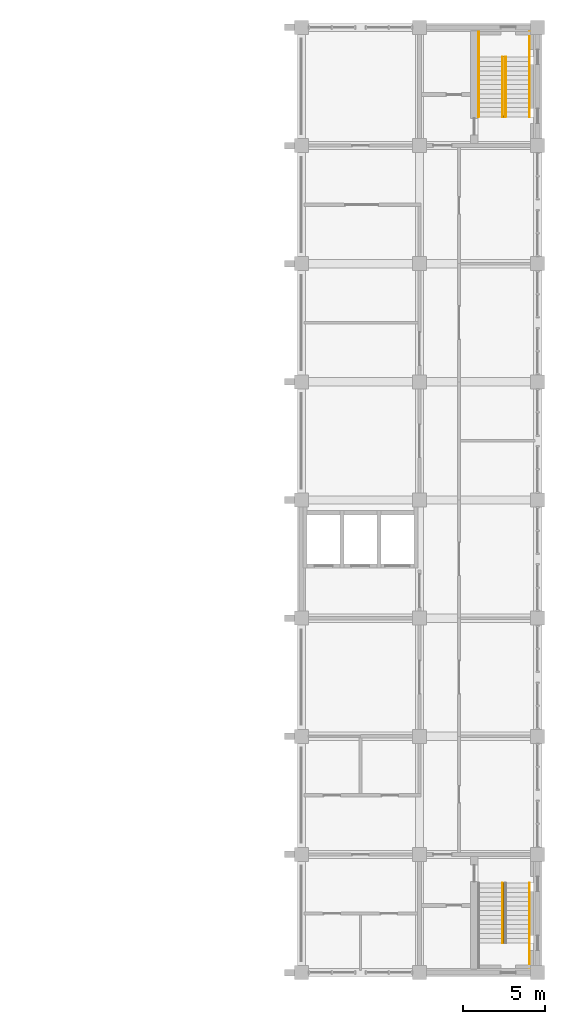
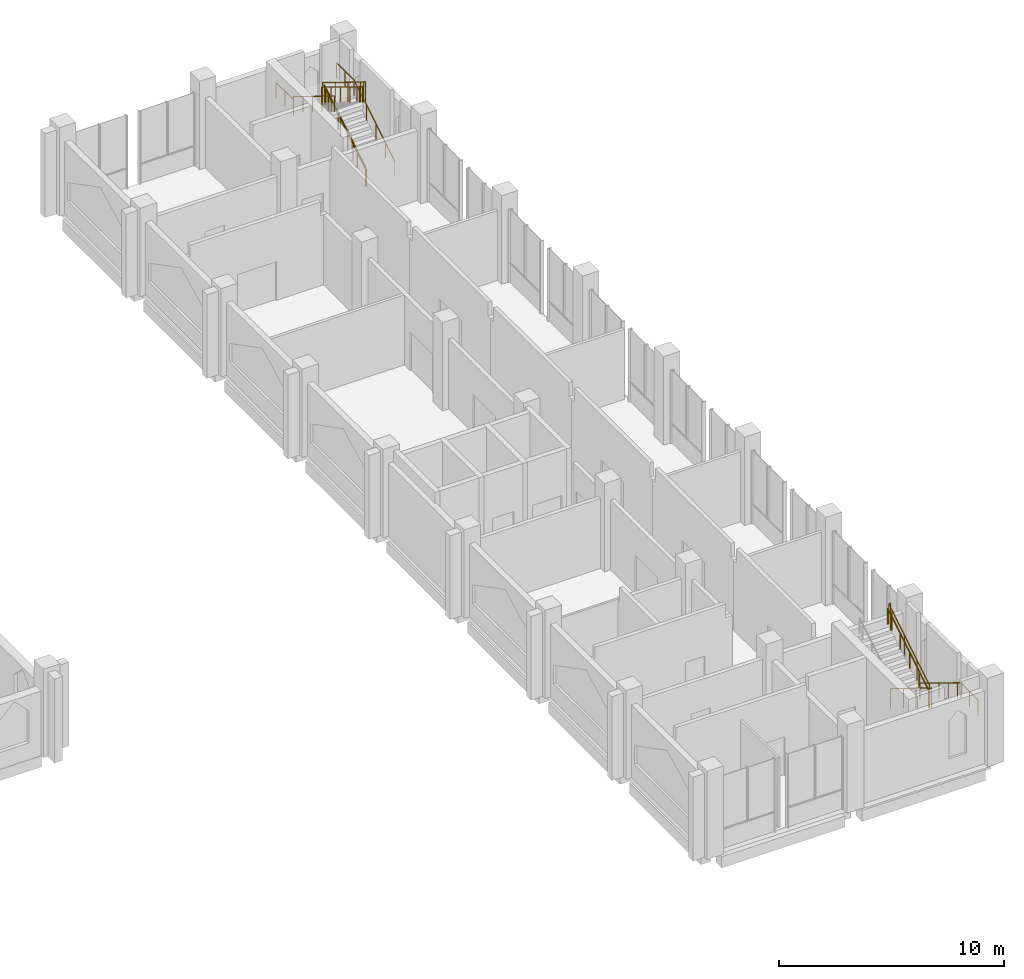
# One storey, part 40 of 40: 8 railings.
"""IFC4 building model written with IfcOpenShell, lengths in metres."""

from ifc_helpers import new_model, si_unit, direction, frame, origin, origin_2d, place, context, subcontext, project, spatial, circle, extrude, material, type_object, element, save


model = new_model("IFC4")

# Units and contexts
model_context = context("Model", 3, precision=1e-05, world=origin(), true_north=direction((0.0, 1.0)))
body_context = subcontext(model_context, "Body", "Model", "MODEL_VIEW")
ifc_project = project(units=[si_unit("LENGTHUNIT", "METRE"), si_unit("AREAUNIT", "SQUARE_METRE"), si_unit("VOLUMEUNIT", "CUBIC_METRE"), si_unit("PLANEANGLEUNIT", "RADIAN"), si_unit("MASSUNIT", "GRAM", prefix="KILO")], contexts=[model_context])

# Site, building, storey
site_placement = place(None, origin())
site = spatial("IfcSite", under=ifc_project, at=site_placement, CompositionType="ELEMENT")
building_placement = place(site_placement, origin())
building = spatial("IfcBuilding", under=site, at=building_placement, Name="Silangan Lancet Faculty of Sciences", CompositionType="ELEMENT")
storey_placement = place(building_placement, frame((0.0, 0.0, 16.800048828125)))
storey = spatial("IfcBuildingStorey", under=building, at=storey_placement, Name="L03", CompositionType="ELEMENT", Elevation=16.800048828125)

# Railings
ifc_material_1 = material(Name="Steel balustrade", Category="steel")
railing_type_1 = type_object("IfcRailingType", Name="STAIR GUARD 1100", PredefinedType="GUARDRAIL", material=ifc_material_1)
railing_1_placement = place(storey_placement, frame((84.39990234375, 5.449951171875, 0.17138671875)))
element("IfcRailing", 1, at=railing_1_placement, inside=storey, type_object=railing_type_1, Name="GUARD-EB-A-L03", PredefinedType="GUARDRAIL", context=body_context, shape_type="SweptSolid", body=[
    extrude(circle(Radius=0.02392578125, at=origin_2d()), frame((0.0, 0.0, 1.076171875), z_axis=(0.0, -0.852881719064, 0.522104178577), x_axis=(1.0, 0.0, 0.0)), (0.0, 0.0, 1.0), 1.31298828125),
    extrude(circle(Radius=0.02392578125, at=origin_2d()), frame((0.0, -1.119873046875, 1.76171875), z_axis=(0.0, -0.852766832618, 0.522291804633), x_axis=(1.0, 0.0, 0.0)), (0.0, 0.0, 1.0), 1.3134765625),
    extrude(circle(Radius=0.02392578125, at=origin_2d()), frame((0.0, -2.239990234375, 2.44775390625), z_axis=(0.0, -0.852881719064, 0.522104178577), x_axis=(1.0, 0.0, 0.0)), (0.0, 0.0, 1.0), 1.31298828125),
    extrude(circle(Radius=0.02392578125, at=origin_2d()), frame((0.0, -3.35986328125, 3.13330078125), z_axis=(0.0, -0.852932391421, 0.522021393877), x_axis=(1.0, 0.0, 0.0)), (0.0, 0.0, 1.0), 0.328369140625),
    extrude(circle(Radius=0.02392578125, at=origin_2d()), frame((0.0, -3.639892578125, 3.3046875), z_axis=(-1.0, 0.0, 0.0), x_axis=(0.0, -1.0, 0.0)), (0.0, 0.0, 1.0), 0.099853515625),
    extrude(circle(Radius=0.02392578125, at=origin_2d()), frame((-0.099853515625, -3.639892578125, 3.3046875), z_axis=(0.0, 0.0, 1.0), x_axis=(1.0, 0.0, 0.0)), (0.0, 0.0, 1.0), 0.17138671875),
    extrude(circle(Radius=0.02392578125, at=origin_2d()), frame((-0.099853515625, -3.639892578125, 3.47607421875), z_axis=(0.0, 0.852798921012, 0.522239409008), x_axis=(-1.0, 0.0, 0.0)), (0.0, 0.0, 1.0), 1.313232421875),
    extrude(circle(Radius=0.02392578125, at=origin_2d()), frame((-0.099853515625, -2.52001953125, 4.16162109375), z_axis=(0.0, 0.852849614702, 0.52215661894), x_axis=(-1.0, 0.0, 0.0)), (0.0, 0.0, 1.0), 1.3134765625),
    extrude(circle(Radius=0.02392578125, at=origin_2d()), frame((-0.099853515625, -1.39990234375, 4.84765625), z_axis=(0.0, 0.852798921012, 0.522239409008), x_axis=(-1.0, 0.0, 0.0)), (0.0, 0.0, 1.0), 1.313232421875),
    extrude(circle(Radius=0.02392578125, at=origin_2d()), frame((-0.099853515625, -0.280029296875, 5.533203125), z_axis=(0.0, 0.852932391421, 0.522021393877), x_axis=(-1.0, 0.0, 0.0)), (0.0, 0.0, 1.0), 0.328369140625),
    extrude(circle(Radius=0.02392578125, at=origin_2d()), frame((-0.099853515625, 0.0, 5.70458984375), z_axis=(1.0, 0.0, 0.0), x_axis=(0.0, 1.0, 0.0)), (0.0, 0.0, 1.0), 0.099853515625),
    extrude(circle(Radius=0.02099609375, at=origin_2d()), origin(), (0.0, 0.0, 1.0), 1.052001953125),
    extrude(circle(Radius=0.02099609375, at=origin_2d()), frame((0.0, -1.119873046875, 0.685546875)), (0.0, 0.0, 1.0), 1.052001953125),
    extrude(circle(Radius=0.02099609375, at=origin_2d()), frame((0.0, -2.239990234375, 1.37158203125)), (0.0, 0.0, 1.0), 1.052001953125),
    extrude(circle(Radius=0.02099609375, at=origin_2d()), frame((0.0, -3.35986328125, 2.05712890625)), (0.0, 0.0, 1.0), 1.052001953125),
    extrude(circle(Radius=0.02099609375, at=origin_2d()), frame((0.0, -3.639892578125, 2.228515625)), (0.0, 0.0, 1.0), 1.052001953125),
    extrude(circle(Radius=0.02099609375, at=origin_2d()), frame((-0.099853515625, -3.639892578125, 2.228515625)), (0.0, 0.0, 1.0), 1.052001953125),
    extrude(circle(Radius=0.02099609375, at=origin_2d()), frame((-0.099853515625, -3.639892578125, 2.39990234375)), (0.0, 0.0, 1.0), 1.052001953125),
    extrude(circle(Radius=0.02099609375, at=origin_2d()), frame((-0.099853515625, -2.52001953125, 3.085693359375)), (0.0, 0.0, 1.0), 1.052001953125),
    extrude(circle(Radius=0.02099609375, at=origin_2d()), frame((-0.099853515625, -1.39990234375, 3.771484375)), (0.0, 0.0, 1.0), 1.052001953125),
    extrude(circle(Radius=0.02099609375, at=origin_2d()), frame((-0.099853515625, -0.280029296875, 4.457275390625)), (0.0, 0.0, 1.0), 1.052001953125),
    extrude(circle(Radius=0.02099609375, at=origin_2d()), frame((-0.099853515625, 0.0, 4.628662109375)), (0.0, 0.0, 1.0), 1.052001953125),
    extrude(circle(Radius=0.02099609375, at=origin_2d()), frame((0.0, 0.0, 4.628662109375)), (0.0, 0.0, 1.0), 1.052001953125),
])
railing_2_placement = place(storey_placement, frame((84.39990234375, 52.14990234375, 0.17138671875)))
element("IfcRailing", 2, at=railing_2_placement, inside=storey, type_object=railing_type_1, Name="GUARD-EB-B-L03", PredefinedType="GUARDRAIL", context=body_context, shape_type="SweptSolid", body=[
    extrude(circle(Radius=0.02392578125, at=origin_2d()), frame((0.0, 0.0, 1.076171875), z_axis=(0.0, 0.852932391421, 0.522021393877), x_axis=(-1.0, 0.0, 0.0)), (0.0, 0.0, 1.0), 1.313232421875),
    extrude(circle(Radius=0.02392578125, at=origin_2d()), frame((0.0, 1.1201171875, 1.76171875), z_axis=(0.0, 0.852716117601, 0.522374600056), x_axis=(-1.0, 0.0, 0.0)), (0.0, 0.0, 1.0), 1.313232421875),
    extrude(circle(Radius=0.02392578125, at=origin_2d()), frame((0.0, 2.239990234375, 2.44775390625), z_axis=(0.0, 0.852932391421, 0.522021393877), x_axis=(-1.0, 0.0, 0.0)), (0.0, 0.0, 1.0), 1.313232421875),
    extrude(circle(Radius=0.02392578125, at=origin_2d()), frame((0.0, 3.360107421875, 3.13330078125), z_axis=(0.0, 0.852932391421, 0.522021393877), x_axis=(-1.0, 0.0, 0.0)), (0.0, 0.0, 1.0), 0.328369140625),
    extrude(circle(Radius=0.02392578125, at=origin_2d()), frame((0.0, 3.64013671875, 3.3046875), z_axis=(-1.0, 0.0, 0.0), x_axis=(0.0, -1.0, 0.0)), (0.0, 0.0, 1.0), 0.099853515625),
    extrude(circle(Radius=0.02392578125, at=origin_2d()), frame((-0.099853515625, 3.64013671875, 3.3046875), z_axis=(0.0, 0.0, 1.0), x_axis=(1.0, 0.0, 0.0)), (0.0, 0.0, 1.0), 0.17138671875),
    extrude(circle(Radius=0.02392578125, at=origin_2d()), frame((-0.099853515625, 3.64013671875, 3.47607421875), z_axis=(0.0, -0.852849614702, 0.52215661894), x_axis=(1.0, 0.0, 0.0)), (0.0, 0.0, 1.0), 1.3134765625),
    extrude(circle(Radius=0.02392578125, at=origin_2d()), frame((-0.099853515625, 2.52001953125, 4.16162109375), z_axis=(0.0, -0.852798921012, 0.522239409008), x_axis=(1.0, 0.0, 0.0)), (0.0, 0.0, 1.0), 1.313232421875),
    extrude(circle(Radius=0.02392578125, at=origin_2d()), frame((-0.099853515625, 1.400146484375, 4.84765625), z_axis=(0.0, -0.852849614702, 0.52215661894), x_axis=(1.0, 0.0, 0.0)), (0.0, 0.0, 1.0), 1.3134765625),
    extrude(circle(Radius=0.02392578125, at=origin_2d()), frame((-0.099853515625, 0.280029296875, 5.533203125), z_axis=(0.0, -0.852932391421, 0.522021393877), x_axis=(1.0, 0.0, 0.0)), (0.0, 0.0, 1.0), 0.328369140625),
    extrude(circle(Radius=0.02392578125, at=origin_2d()), frame((-0.099853515625, 0.0, 5.70458984375), z_axis=(1.0, 0.0, 0.0), x_axis=(0.0, 1.0, 0.0)), (0.0, 0.0, 1.0), 0.099853515625),
    extrude(circle(Radius=0.02099609375, at=origin_2d()), origin(), (0.0, 0.0, 1.0), 1.052001953125),
    extrude(circle(Radius=0.02099609375, at=origin_2d()), frame((0.0, 1.1201171875, 0.685546875)), (0.0, 0.0, 1.0), 1.052001953125),
    extrude(circle(Radius=0.02099609375, at=origin_2d()), frame((0.0, 2.239990234375, 1.37158203125)), (0.0, 0.0, 1.0), 1.052001953125),
    extrude(circle(Radius=0.02099609375, at=origin_2d()), frame((0.0, 3.360107421875, 2.05712890625)), (0.0, 0.0, 1.0), 1.052001953125),
    extrude(circle(Radius=0.02099609375, at=origin_2d()), frame((0.0, 3.64013671875, 2.228515625)), (0.0, 0.0, 1.0), 1.052001953125),
    extrude(circle(Radius=0.02099609375, at=origin_2d()), frame((-0.099853515625, 3.64013671875, 2.228515625)), (0.0, 0.0, 1.0), 1.052001953125),
    extrude(circle(Radius=0.02099609375, at=origin_2d()), frame((-0.099853515625, 3.64013671875, 2.39990234375)), (0.0, 0.0, 1.0), 1.052001953125),
    extrude(circle(Radius=0.02099609375, at=origin_2d()), frame((-0.099853515625, 2.52001953125, 3.085693359375)), (0.0, 0.0, 1.0), 1.052001953125),
    extrude(circle(Radius=0.02099609375, at=origin_2d()), frame((-0.099853515625, 1.400146484375, 3.771484375)), (0.0, 0.0, 1.0), 1.052001953125),
    extrude(circle(Radius=0.02099609375, at=origin_2d()), frame((-0.099853515625, 0.280029296875, 4.457275390625)), (0.0, 0.0, 1.0), 1.052001953125),
    extrude(circle(Radius=0.02099609375, at=origin_2d()), frame((-0.099853515625, 0.0, 4.628662109375)), (0.0, 0.0, 1.0), 1.052001953125),
    extrude(circle(Radius=0.02099609375, at=origin_2d()), frame((0.0, 0.0, 4.628662109375)), (0.0, 0.0, 1.0), 1.052001953125),
])
ifc_material_2 = material(Name="Stainless steel", Category="steel")
railing_type_2 = type_object("IfcRailingType", Name="STAIR HANDRAIL 865", PredefinedType="HANDRAIL", material=ifc_material_2)
railing_3_placement = place(storey_placement, frame((85.89990234375, 5.449951171875, 0.17138671875)))
element("IfcRailing", 3, at=railing_3_placement, inside=storey, type_object=railing_type_2, Name="HANDRAIL-EB-A-L03-O1", PredefinedType="HANDRAIL", context=body_context, shape_type="SweptSolid", body=[
    extrude(circle(Radius=0.02392578125, at=origin_2d()), frame((0.0, 0.0, 0.8408203125), z_axis=(0.0, -0.85286482292, 0.522131778218), x_axis=(1.0, 0.0, 0.0)), (0.0, 0.0, 1.0), 0.984619140625),
    extrude(circle(Radius=0.02392578125, at=origin_2d()), frame((0.0, -0.83984375, 1.35498046875), z_axis=(0.0, -0.852822021269, 0.522201685212), x_axis=(1.0, 0.0, 0.0)), (0.0, 0.0, 1.0), 0.985107421875),
    extrude(circle(Radius=0.02392578125, at=origin_2d()), frame((0.0, -1.679931640625, 1.86962890625), z_axis=(0.0, -0.852822021269, 0.522201685212), x_axis=(1.0, 0.0, 0.0)), (0.0, 0.0, 1.0), 0.985107421875),
    extrude(circle(Radius=0.02392578125, at=origin_2d()), frame((0.0, -2.52001953125, 2.3837890625), z_axis=(0.0, -0.85286482292, 0.522131778218), x_axis=(1.0, 0.0, 0.0)), (0.0, 0.0, 1.0), 0.984619140625),
    extrude(circle(Radius=0.02392578125, at=origin_2d()), frame((0.0, -3.35986328125, 2.89794921875), z_axis=(0.0, -0.852932391421, 0.522021393877), x_axis=(1.0, 0.0, 0.0)), (0.0, 0.0, 1.0), 0.328369140625),
    extrude(circle(Radius=0.02392578125, at=origin_2d()), frame((0.0, -3.639892578125, 3.0693359375), z_axis=(0.0, -1.0, 0.0), x_axis=(1.0, 0.0, 0.0)), (0.0, 0.0, 1.0), 1.53515625),
    extrude(circle(Radius=0.02099609375, at=origin_2d()), origin(), (0.0, 0.0, 1.0), 0.81689453125),
    extrude(circle(Radius=0.02099609375, at=origin_2d()), frame((0.0, -0.83984375, 0.51416015625)), (0.0, 0.0, 1.0), 0.81689453125),
    extrude(circle(Radius=0.02099609375, at=origin_2d()), frame((0.0, -1.679931640625, 1.028564453125)), (0.0, 0.0, 1.0), 0.81689453125),
    extrude(circle(Radius=0.02099609375, at=origin_2d()), frame((0.0, -2.52001953125, 1.54296875)), (0.0, 0.0, 1.0), 0.81689453125),
    extrude(circle(Radius=0.02099609375, at=origin_2d()), frame((0.0, -3.35986328125, 2.05712890625)), (0.0, 0.0, 1.0), 0.81689453125),
    extrude(circle(Radius=0.02099609375, at=origin_2d()), frame((0.0, -3.639892578125, 2.228515625)), (0.0, 0.0, 1.0), 0.81689453125),
    extrude(circle(Radius=0.02099609375, at=origin_2d()), frame((0.0, -4.407470703125, 2.228515625)), (0.0, 0.0, 1.0), 0.81689453125),
    extrude(circle(Radius=0.02099609375, at=origin_2d()), frame((0.0, -5.175048828125, 2.228515625)), (0.0, 0.0, 1.0), 0.81689453125),
])
railing_4_placement = place(storey_placement, frame((84.25, 1.81005859375, 2.5712890625)))
element("IfcRailing", 4, at=railing_4_placement, inside=storey, type_object=railing_type_2, Name="HANDRAIL-EB-A-L03-I2", PredefinedType="HANDRAIL", context=body_context, shape_type="SweptSolid", body=[
    extrude(circle(Radius=0.02392578125, at=origin_2d()), frame((0.0, 0.0, 0.8408203125), z_axis=(0.0, 0.852754414843, 0.522312079092), x_axis=(-1.0, 0.0, 0.0)), (0.0, 0.0, 1.0), 0.98486328125),
    extrude(circle(Radius=0.02392578125, at=origin_2d()), frame((0.0, 0.83984375, 1.35546875), z_axis=(0.0, 0.852932391421, 0.522021393877), x_axis=(-1.0, 0.0, 0.0)), (0.0, 0.0, 1.0), 0.98486328125),
    extrude(circle(Radius=0.02392578125, at=origin_2d()), frame((0.0, 1.679931640625, 1.86962890625), z_axis=(0.0, 0.852822021269, 0.522201685212), x_axis=(-1.0, 0.0, 0.0)), (0.0, 0.0, 1.0), 0.985107421875),
    extrude(circle(Radius=0.02392578125, at=origin_2d()), frame((0.0, 2.52001953125, 2.3837890625), z_axis=(0.0, 0.852754414843, 0.522312079092), x_axis=(-1.0, 0.0, 0.0)), (0.0, 0.0, 1.0), 0.98486328125),
    extrude(circle(Radius=0.02392578125, at=origin_2d()), frame((0.0, 3.35986328125, 2.8984375), z_axis=(0.0, 0.852932391421, 0.522021393877), x_axis=(-1.0, 0.0, 0.0)), (0.0, 0.0, 1.0), 0.328369140625),
    extrude(circle(Radius=0.02099609375, at=origin_2d()), origin(), (0.0, 0.0, 1.0), 0.81689453125),
    extrude(circle(Radius=0.02099609375, at=origin_2d()), frame((0.0, 0.83984375, 0.514404296875)), (0.0, 0.0, 1.0), 0.81689453125),
    extrude(circle(Radius=0.02099609375, at=origin_2d()), frame((0.0, 1.679931640625, 1.028564453125)), (0.0, 0.0, 1.0), 0.81689453125),
    extrude(circle(Radius=0.02099609375, at=origin_2d()), frame((0.0, 2.52001953125, 1.54296875)), (0.0, 0.0, 1.0), 0.81689453125),
    extrude(circle(Radius=0.02099609375, at=origin_2d()), frame((0.0, 3.35986328125, 2.057373046875)), (0.0, 0.0, 1.0), 0.81689453125),
    extrude(circle(Radius=0.02099609375, at=origin_2d()), frame((0.0, 3.639892578125, 2.228759765625)), (0.0, 0.0, 1.0), 0.81689453125),
])
railing_5_placement = place(storey_placement, frame((85.89990234375, 52.14990234375, 0.17138671875)))
element("IfcRailing", 5, at=railing_5_placement, inside=storey, type_object=railing_type_2, Name="HANDRAIL-EB-B-L03-O1", PredefinedType="HANDRAIL", context=body_context, shape_type="SweptSolid", body=[
    extrude(circle(Radius=0.02392578125, at=origin_2d()), frame((0.0, 0.0, 0.8408203125), z_axis=(0.0, 0.852932391421, 0.522021393877), x_axis=(-1.0, 0.0, 0.0)), (0.0, 0.0, 1.0), 0.98486328125),
    extrude(circle(Radius=0.02392578125, at=origin_2d()), frame((0.0, 0.840087890625, 1.35498046875), z_axis=(0.0, 0.852822021269, 0.522201685212), x_axis=(-1.0, 0.0, 0.0)), (0.0, 0.0, 1.0), 0.985107421875),
    extrude(circle(Radius=0.02392578125, at=origin_2d()), frame((0.0, 1.68017578125, 1.86962890625), z_axis=(0.0, 0.852754414843, 0.522312079092), x_axis=(-1.0, 0.0, 0.0)), (0.0, 0.0, 1.0), 0.98486328125),
    extrude(circle(Radius=0.02392578125, at=origin_2d()), frame((0.0, 2.52001953125, 2.3837890625), z_axis=(0.0, 0.852932391421, 0.522021393877), x_axis=(-1.0, 0.0, 0.0)), (0.0, 0.0, 1.0), 0.98486328125),
    extrude(circle(Radius=0.02392578125, at=origin_2d()), frame((0.0, 3.360107421875, 2.89794921875), z_axis=(0.0, 0.852932391421, 0.522021393877), x_axis=(-1.0, 0.0, 0.0)), (0.0, 0.0, 1.0), 0.328369140625),
    extrude(circle(Radius=0.02392578125, at=origin_2d()), frame((0.0, 3.64013671875, 3.0693359375), z_axis=(0.0, 1.0, 0.0), x_axis=(-1.0, 0.0, 0.0)), (0.0, 0.0, 1.0), 1.534912109375),
    extrude(circle(Radius=0.02099609375, at=origin_2d()), origin(), (0.0, 0.0, 1.0), 0.81689453125),
    extrude(circle(Radius=0.02099609375, at=origin_2d()), frame((0.0, 0.840087890625, 0.51416015625)), (0.0, 0.0, 1.0), 0.81689453125),
    extrude(circle(Radius=0.02099609375, at=origin_2d()), frame((0.0, 1.68017578125, 1.028564453125)), (0.0, 0.0, 1.0), 0.81689453125),
    extrude(circle(Radius=0.02099609375, at=origin_2d()), frame((0.0, 2.52001953125, 1.54296875)), (0.0, 0.0, 1.0), 0.81689453125),
    extrude(circle(Radius=0.02099609375, at=origin_2d()), frame((0.0, 3.360107421875, 2.05712890625)), (0.0, 0.0, 1.0), 0.81689453125),
    extrude(circle(Radius=0.02099609375, at=origin_2d()), frame((0.0, 3.64013671875, 2.228515625)), (0.0, 0.0, 1.0), 0.81689453125),
    extrude(circle(Radius=0.02099609375, at=origin_2d()), frame((0.0, 4.40771484375, 2.228515625)), (0.0, 0.0, 1.0), 0.81689453125),
    extrude(circle(Radius=0.02099609375, at=origin_2d()), frame((0.0, 5.175048828125, 2.228515625)), (0.0, 0.0, 1.0), 0.81689453125),
])
railing_6_placement = place(storey_placement, frame((84.449951171875, 52.14990234375, 0.17138671875)))
element("IfcRailing", 6, at=railing_6_placement, inside=storey, type_object=railing_type_2, Name="HANDRAIL-EB-B-L03-I1", PredefinedType="HANDRAIL", context=body_context, shape_type="SweptSolid", body=[
    extrude(circle(Radius=0.02392578125, at=origin_2d()), frame((0.0, 0.0, 0.8408203125), z_axis=(0.0, 0.852932391421, 0.522021393877), x_axis=(-1.0, 0.0, 0.0)), (0.0, 0.0, 1.0), 0.98486328125),
    extrude(circle(Radius=0.02392578125, at=origin_2d()), frame((0.0, 0.840087890625, 1.35498046875), z_axis=(0.0, 0.852822021269, 0.522201685212), x_axis=(-1.0, 0.0, 0.0)), (0.0, 0.0, 1.0), 0.985107421875),
    extrude(circle(Radius=0.02392578125, at=origin_2d()), frame((0.0, 1.68017578125, 1.86962890625), z_axis=(0.0, 0.852754414843, 0.522312079092), x_axis=(-1.0, 0.0, 0.0)), (0.0, 0.0, 1.0), 0.98486328125),
    extrude(circle(Radius=0.02392578125, at=origin_2d()), frame((0.0, 2.52001953125, 2.3837890625), z_axis=(0.0, 0.852932391421, 0.522021393877), x_axis=(-1.0, 0.0, 0.0)), (0.0, 0.0, 1.0), 0.98486328125),
    extrude(circle(Radius=0.02392578125, at=origin_2d()), frame((0.0, 3.360107421875, 2.89794921875), z_axis=(0.0, 0.852932391421, 0.522021393877), x_axis=(-1.0, 0.0, 0.0)), (0.0, 0.0, 1.0), 0.328369140625),
    extrude(circle(Radius=0.02099609375, at=origin_2d()), origin(), (0.0, 0.0, 1.0), 0.81689453125),
    extrude(circle(Radius=0.02099609375, at=origin_2d()), frame((0.0, 0.840087890625, 0.51416015625)), (0.0, 0.0, 1.0), 0.81689453125),
    extrude(circle(Radius=0.02099609375, at=origin_2d()), frame((0.0, 1.68017578125, 1.028564453125)), (0.0, 0.0, 1.0), 0.81689453125),
    extrude(circle(Radius=0.02099609375, at=origin_2d()), frame((0.0, 2.52001953125, 1.54296875)), (0.0, 0.0, 1.0), 0.81689453125),
    extrude(circle(Radius=0.02099609375, at=origin_2d()), frame((0.0, 3.360107421875, 2.05712890625)), (0.0, 0.0, 1.0), 0.81689453125),
    extrude(circle(Radius=0.02099609375, at=origin_2d()), frame((0.0, 3.64013671875, 2.228515625)), (0.0, 0.0, 1.0), 0.81689453125),
])
railing_7_placement = place(storey_placement, frame((82.800048828125, 57.324951171875, 2.39990234375)))
element("IfcRailing", 7, at=railing_7_placement, inside=storey, type_object=railing_type_2, Name="HANDRAIL-EB-B-L03-O2", PredefinedType="HANDRAIL", context=body_context, shape_type="SweptSolid", body=[
    extrude(circle(Radius=0.02392578125, at=origin_2d()), frame((0.0, 0.0, 0.8408203125), z_axis=(0.0, -1.0, 0.0), x_axis=(1.0, 0.0, 0.0)), (0.0, 0.0, 1.0), 1.534912109375),
    extrude(circle(Radius=0.02392578125, at=origin_2d()), frame((0.0, -1.534912109375, 0.8408203125), z_axis=(0.0, 0.0, 1.0), x_axis=(1.0, 0.0, 0.0)), (0.0, 0.0, 1.0), 0.17138671875),
    extrude(circle(Radius=0.02392578125, at=origin_2d()), frame((0.0, -1.534912109375, 1.01220703125), z_axis=(0.0, -0.852822021269, 0.522201685212), x_axis=(1.0, 0.0, 0.0)), (0.0, 0.0, 1.0), 0.985107421875),
    extrude(circle(Radius=0.02392578125, at=origin_2d()), frame((0.0, -2.375, 1.52685546875), z_axis=(0.0, -0.85286482292, 0.522131778218), x_axis=(1.0, 0.0, 0.0)), (0.0, 0.0, 1.0), 0.984619140625),
    extrude(circle(Radius=0.02392578125, at=origin_2d()), frame((0.0, -3.21484375, 2.041015625), z_axis=(0.0, -0.852822021269, 0.522201685212), x_axis=(1.0, 0.0, 0.0)), (0.0, 0.0, 1.0), 0.985107421875),
    extrude(circle(Radius=0.02392578125, at=origin_2d()), frame((0.0, -4.054931640625, 2.55517578125), z_axis=(0.0, -0.852822021269, 0.522201685212), x_axis=(1.0, 0.0, 0.0)), (0.0, 0.0, 1.0), 0.985107421875),
    extrude(circle(Radius=0.02392578125, at=origin_2d()), frame((0.0, -4.89501953125, 3.06982421875), z_axis=(0.0, -0.852932391421, 0.522021393877), x_axis=(1.0, 0.0, 0.0)), (0.0, 0.0, 1.0), 0.328369140625),
    extrude(circle(Radius=0.02099609375, at=origin_2d()), origin(), (0.0, 0.0, 1.0), 0.81689453125),
    extrude(circle(Radius=0.02099609375, at=origin_2d()), frame((0.0, -0.767578125, 0.0)), (0.0, 0.0, 1.0), 0.81689453125),
    extrude(circle(Radius=0.02099609375, at=origin_2d()), frame((0.0, -1.534912109375, 0.0)), (0.0, 0.0, 1.0), 0.81689453125),
    extrude(circle(Radius=0.02099609375, at=origin_2d()), frame((0.0, -1.534912109375, 0.17138671875)), (0.0, 0.0, 1.0), 0.81689453125),
    extrude(circle(Radius=0.02099609375, at=origin_2d()), frame((0.0, -2.375, 0.685791015625)), (0.0, 0.0, 1.0), 0.81689453125),
    extrude(circle(Radius=0.02099609375, at=origin_2d()), frame((0.0, -3.21484375, 1.199951171875)), (0.0, 0.0, 1.0), 0.81689453125),
    extrude(circle(Radius=0.02099609375, at=origin_2d()), frame((0.0, -4.054931640625, 1.71435546875)), (0.0, 0.0, 1.0), 0.81689453125),
    extrude(circle(Radius=0.02099609375, at=origin_2d()), frame((0.0, -4.89501953125, 2.228759765625)), (0.0, 0.0, 1.0), 0.81689453125),
    extrude(circle(Radius=0.02099609375, at=origin_2d()), frame((0.0, -5.175048828125, 2.400146484375)), (0.0, 0.0, 1.0), 0.81689453125),
])
railing_8_placement = place(storey_placement, frame((84.25, 55.7900390625, 2.5712890625)))
element("IfcRailing", 8, at=railing_8_placement, inside=storey, type_object=railing_type_2, Name="HANDRAIL-EB-B-L03-I2", PredefinedType="HANDRAIL", context=body_context, shape_type="SweptSolid", body=[
    extrude(circle(Radius=0.02392578125, at=origin_2d()), frame((0.0, 0.0, 0.8408203125), z_axis=(0.0, -0.852822021269, 0.522201685212), x_axis=(1.0, 0.0, 0.0)), (0.0, 0.0, 1.0), 0.985107421875),
    extrude(circle(Radius=0.02392578125, at=origin_2d()), frame((0.0, -0.840087890625, 1.35546875), z_axis=(0.0, -0.85286482292, 0.522131778218), x_axis=(1.0, 0.0, 0.0)), (0.0, 0.0, 1.0), 0.984619140625),
    extrude(circle(Radius=0.02392578125, at=origin_2d()), frame((0.0, -1.679931640625, 1.86962890625), z_axis=(0.0, -0.852822021269, 0.522201685212), x_axis=(1.0, 0.0, 0.0)), (0.0, 0.0, 1.0), 0.985107421875),
    extrude(circle(Radius=0.02392578125, at=origin_2d()), frame((0.0, -2.52001953125, 2.3837890625), z_axis=(0.0, -0.852822021269, 0.522201685212), x_axis=(1.0, 0.0, 0.0)), (0.0, 0.0, 1.0), 0.985107421875),
    extrude(circle(Radius=0.02392578125, at=origin_2d()), frame((0.0, -3.360107421875, 2.8984375), z_axis=(0.0, -0.852932391421, 0.522021393877), x_axis=(1.0, 0.0, 0.0)), (0.0, 0.0, 1.0), 0.328369140625),
    extrude(circle(Radius=0.02099609375, at=origin_2d()), origin(), (0.0, 0.0, 1.0), 0.81689453125),
    extrude(circle(Radius=0.02099609375, at=origin_2d()), frame((0.0, -0.840087890625, 0.514404296875)), (0.0, 0.0, 1.0), 0.81689453125),
    extrude(circle(Radius=0.02099609375, at=origin_2d()), frame((0.0, -1.679931640625, 1.028564453125)), (0.0, 0.0, 1.0), 0.81689453125),
    extrude(circle(Radius=0.02099609375, at=origin_2d()), frame((0.0, -2.52001953125, 1.54296875)), (0.0, 0.0, 1.0), 0.81689453125),
    extrude(circle(Radius=0.02099609375, at=origin_2d()), frame((0.0, -3.360107421875, 2.057373046875)), (0.0, 0.0, 1.0), 0.81689453125),
    extrude(circle(Radius=0.02099609375, at=origin_2d()), frame((0.0, -3.64013671875, 2.228759765625)), (0.0, 0.0, 1.0), 0.81689453125),
])

save(model, "model.ifc")
